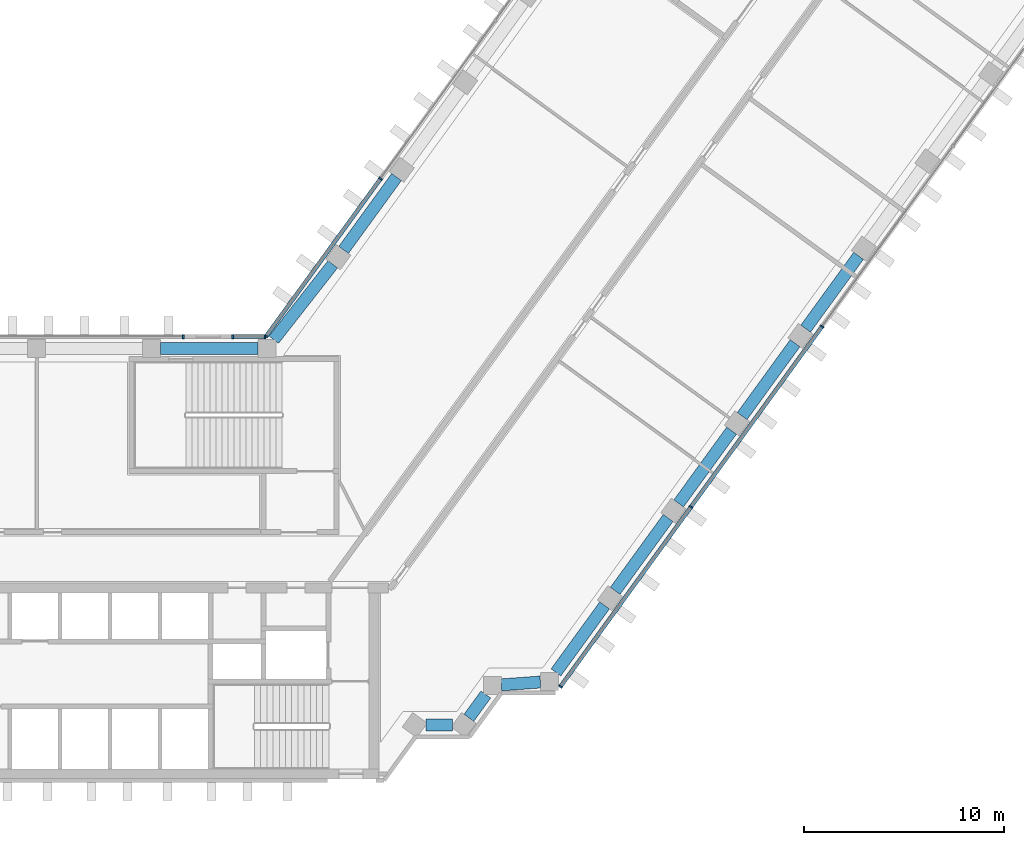
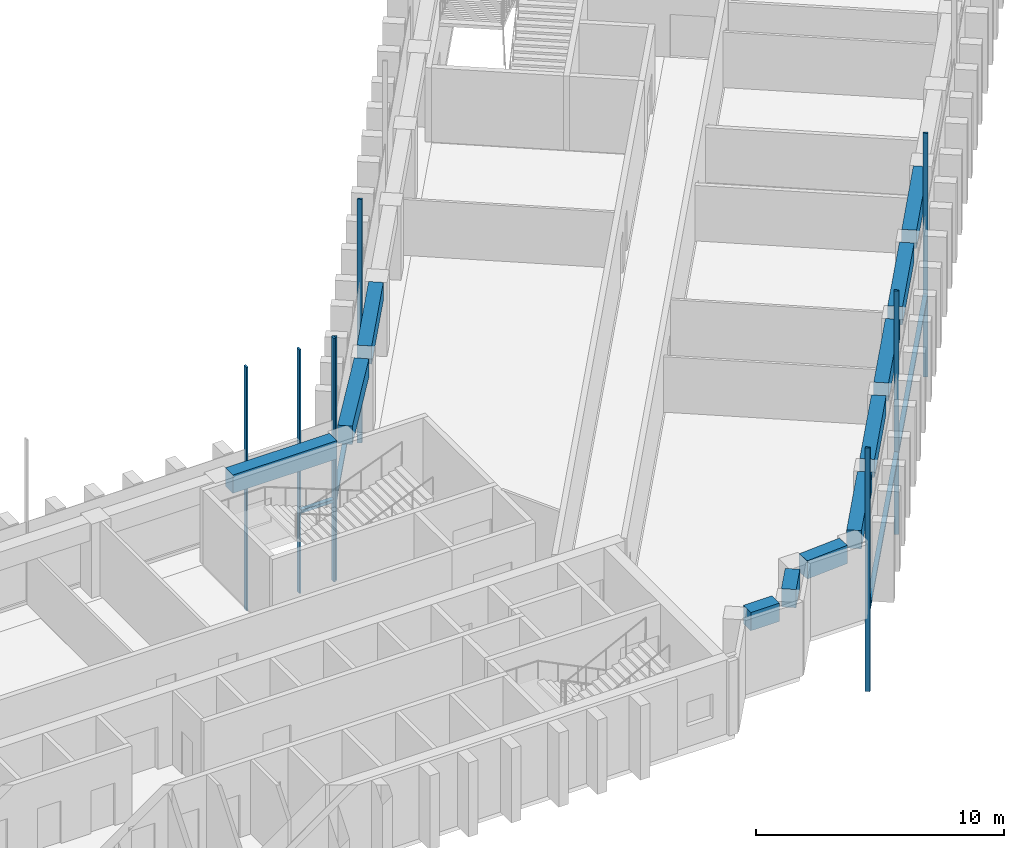
# One storey, part 5 of 19: 12 members, 11 beams, 4 elements without a shape of their own.
"""IFC4 building model written with IfcOpenShell, lengths in metres."""

from ifc_helpers import new_model, si_unit, direction, frame, origin, origin_2d, place, context, subcontext, project, spatial, rectangle, extrude, material, material_profile, profile_set, type_object, element, aggregate, save


model = new_model("IFC4")

# Units and contexts
model_context = context("Model", 3, precision=1e-05, world=origin(), true_north=direction((0.0, 1.0)))
body_context = subcontext(model_context, "Body", "Model", "MODEL_VIEW")
ifc_project = project(units=[si_unit("LENGTHUNIT", "METRE"), si_unit("AREAUNIT", "SQUARE_METRE"), si_unit("VOLUMEUNIT", "CUBIC_METRE"), si_unit("PLANEANGLEUNIT", "RADIAN"), si_unit("MASSUNIT", "GRAM", prefix="KILO")], contexts=[model_context])

# Site, building, storey
site_placement = place(None, origin())
site = spatial("IfcSite", under=ifc_project, at=site_placement, CompositionType="ELEMENT")
building_placement = place(site_placement, origin())
building = spatial("IfcBuilding", under=site, at=building_placement, Name="Quipu Civic Tower", CompositionType="ELEMENT")
storey_placement = place(building_placement, frame((0.0, 0.0, 35.0)))
storey = spatial("IfcBuildingStorey", under=building, at=storey_placement, Name="L07", CompositionType="ELEMENT", Elevation=35.0)

# Curtain wall, members
ifc_material_1 = material(Name="Insulated glass unit", Category="glass")
curtain_wall_type = type_object("IfcCurtainWallType", Name="Office curtain wall CW1", PredefinedType="NOTDEFINED", material=ifc_material_1)
curtain_wall_1_placement = place(storey_placement, origin())
curtain_wall_1 = element("IfcCurtainWall", 1, at=curtain_wall_1_placement, inside=storey, type_object=curtain_wall_type, Name="Office curtain wall CW1 L06 run 16", PredefinedType="NOTDEFINED")
ifc_material_2 = material(Name="Anodised aluminium", Category="aluminium")
ifc_material_profile_1 = material_profile(ifc_material_2, rectangle(XDim=0.199951171875, YDim=0.080078125, at=origin_2d()), Name="RECT 200x80")
ifc_profile_set_1 = profile_set([ifc_material_profile_1], Name="Anodised aluminium")
member_type_1 = type_object("IfcMemberType", Name="Mullion CW1", PredefinedType="MULLION", material=ifc_profile_set_1)
member_1_placement = place(storey_placement, frame((29.079345703125, -6.3876953125, -3.919921875), z_axis=(0.0, 0.0, 1.0), x_axis=(-0.809016770908, 0.587785559869, 0.0)))
member_1 = element("IfcMember", 2, at=member_1_placement, type_object=member_type_1, Name="CW1 mullion 1", PredefinedType="MULLION", context=body_context, shape_type="SweptSolid", body=[
    extrude(rectangle(XDim=0.199951171875, YDim=0.080078125, at=origin_2d()), origin(), (0.0, 0.0, 1.0), 12.0),
])
member_2_placement = place(storey_placement, frame((35.60546875, 2.594482421875, -3.919921875), z_axis=(0.0, 0.0, 1.0), x_axis=(-0.809016770908, 0.587785559869, 0.0)))
member_2 = element("IfcMember", 3, at=member_2_placement, type_object=member_type_1, Name="CW1 mullion 2", PredefinedType="MULLION", context=body_context, shape_type="SweptSolid", body=[
    extrude(rectangle(XDim=0.199951171875, YDim=0.080078125, at=origin_2d()), origin(), (0.0, 0.0, 1.0), 12.0),
])
member_3_placement = place(storey_placement, frame((42.155029296875, 11.609130859375, -3.919921875), z_axis=(0.0, 0.0, 1.0), x_axis=(-0.809016770908, 0.587785559869, 0.0)))
member_3 = element("IfcMember", 4, at=member_3_placement, type_object=member_type_1, Name="CW1 mullion 3", PredefinedType="MULLION", context=body_context, shape_type="SweptSolid", body=[
    extrude(rectangle(XDim=0.199951171875, YDim=0.080078125, at=origin_2d()), origin(), (0.0, 0.0, 1.0), 12.0),
])

curtain_wall_2_placement = place(storey_placement, origin())
curtain_wall_2 = element("IfcCurtainWall", 5, at=curtain_wall_2_placement, inside=storey, type_object=curtain_wall_type, Name="Office curtain wall CW1 L06 run 26", PredefinedType="NOTDEFINED")
member_4_placement = place(storey_placement, frame((20.08154296875, 18.996826171875, -3.919921875), z_axis=(0.0, 0.0, 1.0), x_axis=(0.809016532822, -0.587785887566, 0.0)))
member_4 = element("IfcMember", 6, at=member_4_placement, type_object=member_type_1, Name="CW1 mullion 4", PredefinedType="MULLION", context=body_context, shape_type="SweptSolid", body=[
    extrude(rectangle(XDim=0.199951171875, YDim=0.080078125, at=origin_2d()), origin(), (0.0, 0.0, 1.0), 12.0),
])
member_5_placement = place(storey_placement, frame((14.36767578125, 11.13232421875, -3.919921875), z_axis=(0.0, 0.0, 1.0), x_axis=(0.809016532822, -0.587785887566, 0.0)))
member_5 = element("IfcMember", 7, at=member_5_placement, type_object=member_type_1, Name="CW1 mullion 5", PredefinedType="MULLION", context=body_context, shape_type="SweptSolid", body=[
    extrude(rectangle(XDim=0.199951171875, YDim=0.080078125, at=origin_2d()), origin(), (0.0, 0.0, 1.0), 12.0),
])

curtain_wall_3_placement = place(storey_placement, origin())
curtain_wall_3 = element("IfcCurtainWall", 8, at=curtain_wall_3_placement, inside=storey, type_object=curtain_wall_type, Name="Office curtain wall CW1 L06 run 27", PredefinedType="NOTDEFINED")
member_6_placement = place(storey_placement, frame((14.30419921875, 11.10009765625, -3.919921875), z_axis=(0.0, 0.0, 1.0), x_axis=(0.0, -1.0, 0.0)))
member_6 = element("IfcMember", 9, at=member_6_placement, type_object=member_type_1, Name="CW1 mullion 1", PredefinedType="MULLION", context=body_context, shape_type="SweptSolid", body=[
    extrude(rectangle(XDim=0.199951171875, YDim=0.080078125, at=origin_2d()), origin(), (0.0, 0.0, 1.0), 12.0),
])
member_7_placement = place(storey_placement, frame((12.695068359375, 11.10009765625, -3.919921875), z_axis=(0.0, 0.0, 1.0), x_axis=(0.0, -1.0, 0.0)))
member_7 = element("IfcMember", 10, at=member_7_placement, type_object=member_type_1, Name="CW1 mullion 2", PredefinedType="MULLION", context=body_context, shape_type="SweptSolid", body=[
    extrude(rectangle(XDim=0.199951171875, YDim=0.080078125, at=origin_2d()), origin(), (0.0, 0.0, 1.0), 12.0),
])

# Curtain wall, member
curtain_wall_4_placement = place(storey_placement, origin())
curtain_wall_4 = element("IfcCurtainWall", 11, at=curtain_wall_4_placement, inside=storey, type_object=curtain_wall_type, Name="Office curtain wall CW1 L06 run 29", PredefinedType="NOTDEFINED")
member_8_placement = place(storey_placement, frame((10.223388671875, 11.10009765625, -3.919921875), z_axis=(0.0, 0.0, 1.0), x_axis=(0.0, -1.0, 0.0)))
member_8 = element("IfcMember", 12, at=member_8_placement, type_object=member_type_1, Name="CW1 mullion 1", PredefinedType="MULLION", context=body_context, shape_type="SweptSolid", body=[
    extrude(rectangle(XDim=0.199951171875, YDim=0.080078125, at=origin_2d()), origin(), (0.0, 0.0, 1.0), 12.0),
])
aggregate(curtain_wall_4, [member_8])

# Beams
ifc_material_3 = material(Name="Concrete C50/60", Category="concrete")
ifc_material_profile_2 = material_profile(ifc_material_3, rectangle(XDim=0.60009765625, YDim=0.89990234375, at=origin_2d()), Name="RC600x900")
ifc_profile_set_2 = profile_set([ifc_material_profile_2], Name="Concrete C50/60")
beam_type = type_object("IfcBeamType", Name="Spandrel beam RC 600x900 C50/60", PredefinedType="SPANDREL", material=ifc_profile_set_2)
beam_1_placement = place(storey_placement, frame((22.34814453125, -8.31494140625, 3.199951171875), z_axis=(1.0, 0.0, 0.0), x_axis=(0.0, 1.0, 0.0)))
element("IfcBeam", 13, at=beam_1_placement, inside=storey, type_object=beam_type, Name="Spandrel beam L07 J-Eo.1 to J-Eo.2", PredefinedType="SPANDREL", context=body_context, shape_type="SweptSolid", body=[
    extrude(rectangle(XDim=0.60009765625, YDim=0.89990234375, at=origin_2d()), origin(), (0.0, 0.0, 1.0), 1.33056640625),
])
beam_2_placement = place(storey_placement, frame((24.499755859375, -7.951171875, 3.199951171875), z_axis=(0.588433824377, 0.808545381738, 0.0), x_axis=(-0.808545381738, 0.588433824377, 0.0)))
element("IfcBeam", 14, at=beam_2_placement, inside=storey, type_object=beam_type, Name="Spandrel beam L07 J-Eo.2 to J-Eo.3", PredefinedType="SPANDREL", context=body_context, shape_type="SweptSolid", body=[
    extrude(rectangle(XDim=0.60009765625, YDim=0.89990234375, at=origin_2d()), origin(), (0.0, 0.0, 1.0), 1.439697265625),
])
beam_3_placement = place(storey_placement, frame((26.12451171875, -6.304443359375, 3.199951171875), z_axis=(0.997365981169, 0.072533437859, 0.0), x_axis=(-0.072533437859, 0.997365981169, 0.0)))
element("IfcBeam", 15, at=beam_3_placement, inside=storey, type_object=beam_type, Name="Spandrel beam L07 J-Eo.3 to J-Eo.4", PredefinedType="SPANDREL", context=body_context, shape_type="SweptSolid", body=[
    extrude(rectangle(XDim=0.60009765625, YDim=0.89990234375, at=origin_2d()), origin(), (0.0, 0.0, 1.0), 1.95556640625),
])
beam_4_placement = place(storey_placement, frame((28.85205078125, -5.679931640625, 3.199951171875), z_axis=(0.587750565781, 0.809042194464, 0.0), x_axis=(-0.809042194464, 0.587750565781, 0.0)))
element("IfcBeam", 16, at=beam_4_placement, inside=storey, type_object=beam_type, Name="Spandrel beam L07 J-Eo.4 to E-OUT-01", PredefinedType="SPANDREL", context=body_context, shape_type="SweptSolid", body=[
    extrude(rectangle(XDim=0.60009765625, YDim=0.89990234375, at=origin_2d()), origin(), (0.0, 0.0, 1.0), 4.13720703125),
])
beam_5_placement = place(storey_placement, frame((31.812744140625, -1.604736328125, 3.199951171875), z_axis=(0.587778073121, 0.809022210299, 0.0), x_axis=(-0.809022210299, 0.587778073121, 0.0)))
element("IfcBeam", 17, at=beam_5_placement, inside=storey, type_object=beam_type, Name="Spandrel beam L07 E-OUT-01 to E-OUT-02", PredefinedType="SPANDREL", context=body_context, shape_type="SweptSolid", body=[
    extrude(rectangle(XDim=0.60009765625, YDim=0.89990234375, at=origin_2d()), origin(), (0.0, 0.0, 1.0), 4.5),
])
beam_6_placement = place(storey_placement, frame((34.98681640625, 2.76416015625, 3.199951171875), z_axis=(0.587803872688, 0.809003465539, 0.0), x_axis=(-0.809003465539, 0.587803872688, 0.0)))
element("IfcBeam", 18, at=beam_6_placement, inside=storey, type_object=beam_type, Name="Spandrel beam L07 E-OUT-02 to E-OUT-03", PredefinedType="SPANDREL", context=body_context, shape_type="SweptSolid", body=[
    extrude(rectangle(XDim=0.60009765625, YDim=0.89990234375, at=origin_2d()), origin(), (0.0, 0.0, 1.0), 4.499755859375),
])
for number, where, z_axis, x_axis, name in (
    (19, (38.160888671875, 7.1328125, 3.199951171875), (0.587778073121, 0.809022210299, 0.0), (-0.809022210299, 0.587778073121, 0.0), "Spandrel beam L07 E-OUT-03 to E-OUT-04"),
    (20, (41.3349609375, 11.50146484375, 3.199951171875), (0.587778073121, 0.809022210299, 0.0), (-0.809022210299, 0.587778073121, 0.0), "Spandrel beam L07 E-OUT-04 to E-OUT-05"),
    (21, (20.8828125, 19.079833984375, 3.199951171875), (-0.587716763865, -0.809066749701, 0.0), (0.809066749701, -0.587716763865, 0.0), "Spandrel beam L07 E-IN-02 to E-IN-01"),
):
    element("IfcBeam", number, at=place(storey_placement, frame(where, z_axis=z_axis, x_axis=x_axis)), inside=storey, type_object=beam_type, Name=name, PredefinedType="SPANDREL", context=body_context, shape_type="SweptSolid", body=[
        extrude(rectangle(XDim=0.60009765625, YDim=0.89990234375, at=origin_2d()), origin(), (0.0, 0.0, 1.0), 4.5),
    ])
beam_7_placement = place(storey_placement, frame((17.6962890625, 14.72021484375, 3.199951171875), z_axis=(-0.616123961998, -0.787649200756, 0.0), x_axis=(0.787649200756, -0.616123961998, 0.0)))
element("IfcBeam", 22, at=beam_7_placement, inside=storey, type_object=beam_type, Name="Spandrel beam L07 E-IN-01 to J-Ei.0", PredefinedType="SPANDREL", context=body_context, shape_type="SweptSolid", body=[
    extrude(rectangle(XDim=0.60009765625, YDim=0.89990234375, at=origin_2d()), origin(), (0.0, 0.0, 1.0), 4.78662109375),
])
beam_8_placement = place(storey_placement, frame((13.9453125, 10.5, 3.199951171875), z_axis=(-1.0, 0.0, 0.0), x_axis=(0.0, -1.0, 0.0)))
element("IfcBeam", 23, at=beam_8_placement, inside=storey, type_object=beam_type, Name="Spandrel beam L07 J-Ei.0 to FRONT-01", PredefinedType="SPANDREL", context=body_context, shape_type="SweptSolid", body=[
    extrude(rectangle(XDim=0.60009765625, YDim=0.89990234375, at=origin_2d()), origin(), (0.0, 0.0, 1.0), 4.858154296875),
])

# Member
ifc_material_4 = material(Name="Anodised aluminium", Category="aluminium")
ifc_material_profile_3 = material_profile(ifc_material_4, rectangle(XDim=0.199951171875, YDim=0.159912109375, at=origin_2d()), Name="RECT 200x160")
ifc_profile_set_3 = profile_set([ifc_material_profile_3], Name="Anodised aluminium")
member_type_2 = type_object("IfcMemberType", Name="Transom CW1", PredefinedType="USERDEFINED", material=ifc_profile_set_3)
member_9_placement = place(storey_placement, frame((29.10302734375, -6.35546875, 0.080078125), z_axis=(0.587779179422, 0.809021406539, 0.0), x_axis=(-0.809021406539, 0.587779179422, 0.0)))
member_9 = element("IfcMember", 24, at=member_9_placement, type_object=member_type_2, Name="CW1 transom 1.2", ObjectType="TRANSOM", PredefinedType="USERDEFINED", context=body_context, shape_type="SweptSolid", body=[
    extrude(rectangle(XDim=0.199951171875, YDim=0.159912109375, at=origin_2d()), origin(), (0.0, 0.0, 1.0), 11.02294921875),
])

member_10_placement = place(storey_placement, frame((35.62890625, 2.626953125, 0.080078125), z_axis=(0.587795037589, 0.80900988485, 0.0), x_axis=(-0.80900988485, 0.587795037589, 0.0)))
member_10 = element("IfcMember", 25, at=member_10_placement, type_object=member_type_2, Name="CW1 transom 2.2", ObjectType="TRANSOM", PredefinedType="USERDEFINED", context=body_context, shape_type="SweptSolid", body=[
    extrude(rectangle(XDim=0.199951171875, YDim=0.159912109375, at=origin_2d()), origin(), (0.0, 0.0, 1.0), 11.062744140625),
])

aggregate(curtain_wall_1, [member_1, member_2, member_3, member_9, member_10])

member_11_placement = place(storey_placement, frame((20.05810546875, 18.964599609375, 0.080078125), z_axis=(-0.58779220199, -0.809011945079, 0.0), x_axis=(0.809011945079, -0.58779220199, 0.0)))
member_11 = element("IfcMember", 26, at=member_11_placement, type_object=member_type_2, Name="CW1 transom 4.2", ObjectType="TRANSOM", PredefinedType="USERDEFINED", context=body_context, shape_type="SweptSolid", body=[
    extrude(rectangle(XDim=0.199951171875, YDim=0.159912109375, at=origin_2d()), origin(), (0.0, 0.0, 1.0), 9.64111328125),
])

aggregate(curtain_wall_2, [member_4, member_5, member_11])

member_12_placement = place(storey_placement, frame((14.26416015625, 11.10009765625, 0.080078125), z_axis=(-1.0, 0.0, 0.0), x_axis=(0.0, -1.0, 0.0)))
member_12 = element("IfcMember", 27, at=member_12_placement, type_object=member_type_2, Name="CW1 transom 1.2", ObjectType="TRANSOM", PredefinedType="USERDEFINED", context=body_context, shape_type="SweptSolid", body=[
    extrude(rectangle(XDim=0.199951171875, YDim=0.159912109375, at=origin_2d()), origin(), (0.0, 0.0, 1.0), 1.529052734375),
])

aggregate(curtain_wall_3, [member_6, member_7, member_12])

save(model, "model.ifc")
